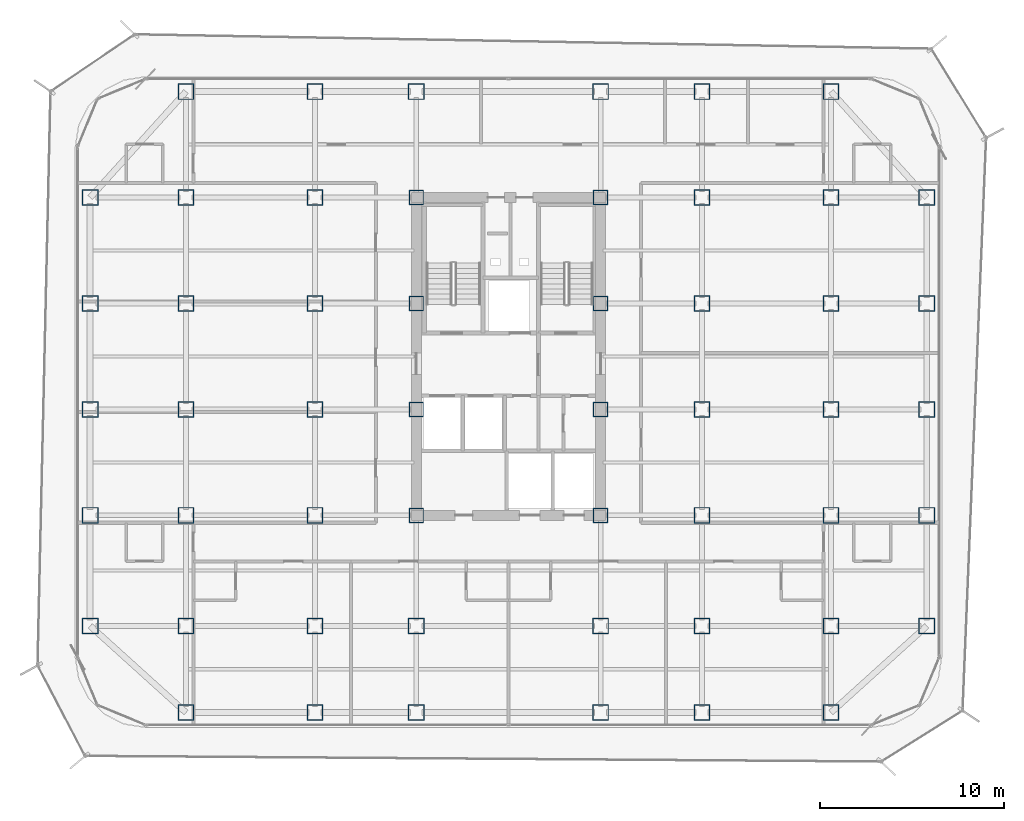
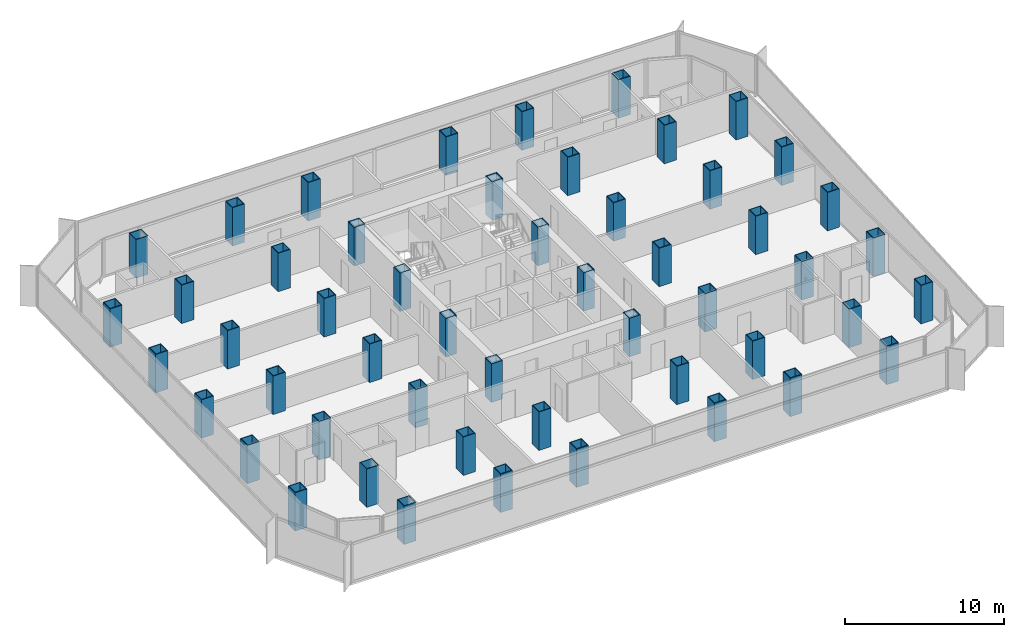
# One storey, part 1 of 21: 52 columns.
"""IFC4 building model written with IfcOpenShell, lengths in metres."""

import ifcopenshell
import ifcopenshell.guid

model = None  # the IFC model being written
_history = None  # IfcOwnerHistory: only IFC2X3 demands one
_inside = {}  # id of a spatial element -> (the spatial element, [elements in it])
_under = {}  # id of a project, library or spatial element -> (it, [spatial elements below it])
_declared = {}  # id of a project -> (the project, [libraries it declares])
_typed = {}  # id of a type object -> (the type object, [elements of that type])
_made_of = {}  # id of a material, layer set ... -> (it, [elements and type objects made of it])


def new_model(schema):
    """Start an empty IFC model of exactly this schema.

    Asked for "IFC4X3", IfcOpenShell would pick the latest addendum, in which some entities
    have other attributes; the version numbers below select the first issue.
    IFC2X3 requires an IfcOwnerHistory on every rooted entity: one is made here for all.
    """
    global model, _history
    if schema == "IFC4X3":
        model = ifcopenshell.file(schema_version=(4, 3, 0, 0))
    else:
        model = ifcopenshell.file(schema=schema)
    _inside.clear()
    _under.clear()
    _declared.clear()
    _typed.clear()
    _made_of.clear()
    _history = None
    if model.schema == "IFC2X3":
        org = make("IfcOrganization", Name="unknown")
        user = make(
            "IfcPersonAndOrganization",
            ThePerson=make("IfcPerson", FamilyName="unknown"),
            TheOrganization=org,
        )
        app = make(
            "IfcApplication",
            ApplicationDeveloper=org,
            Version="unknown",
            ApplicationFullName="unknown",
            ApplicationIdentifier="unknown",
        )
        _history = make(
            "IfcOwnerHistory",
            OwningUser=user,
            OwningApplication=app,
            ChangeAction="ADDED",
            CreationDate=0,
        )
    return model


def make(cls, **values):
    """One entity of the class cls with the attributes given. An attribute that is None is left unset."""
    return model.create_entity(
        cls, **{name: value for name, value in values.items() if value is not None}
    )


def rooted(cls, **values):
    """An entity with a GlobalId (a new one), such as an element, a storey or a relation."""
    return make(cls, GlobalId=ifcopenshell.guid.new(), OwnerHistory=_history, **values)


def si_unit(unit_type, name, prefix=None):
    """IfcSIUnit, for example si_unit("LENGTHUNIT", "METRE", prefix="MILLI")."""
    return make("IfcSIUnit", UnitType=unit_type, Prefix=prefix, Name=name)


def assignment(units):
    """IfcUnitAssignment: the units of a project."""
    return None if units is None else make("IfcUnitAssignment", Units=units)


def point(xyz):
    """IfcCartesianPoint."""
    return None if xyz is None else make("IfcCartesianPoint", Coordinates=xyz)


def direction(xyz):
    """IfcDirection."""
    return None if xyz is None else make("IfcDirection", DirectionRatios=xyz)


def frame(location, z_axis=None, x_axis=None):
    """IfcAxis2Placement3D, a coordinate frame: its origin and axes. An axis left out is left unset."""
    return make(
        "IfcAxis2Placement3D",
        Location=point(location),
        Axis=direction(z_axis),
        RefDirection=direction(x_axis),
    )


def frame_2d(location, x_axis=None):
    """IfcAxis2Placement2D, a coordinate frame in the plane: its origin and x axis."""
    return make(
        "IfcAxis2Placement2D", Location=point(location), RefDirection=direction(x_axis)
    )


def origin():
    """The frame at (0, 0, 0) with its axes left unset."""
    return frame((0.0, 0.0, 0.0))


def origin_2d():
    """The frame at (0, 0) in the plane with its x axis left unset."""
    return frame_2d((0.0, 0.0))


def place(relative_to, where):
    """IfcLocalPlacement: puts the frame where relative to a parent placement (None: the world)."""
    return make(
        "IfcLocalPlacement", PlacementRelTo=relative_to, RelativePlacement=where
    )


def context(
    kind, dimensions, precision=None, world=None, true_north=None, identifier=None
):
    """IfcGeometricRepresentationContext, for example the 3D "Model" context."""
    return make(
        "IfcGeometricRepresentationContext",
        ContextIdentifier=identifier,
        ContextType=kind,
        CoordinateSpaceDimension=dimensions,
        Precision=precision,
        WorldCoordinateSystem=world,
        TrueNorth=true_north,
    )


def subcontext(parent, identifier, kind, view, scale=None):
    """IfcGeometricRepresentationSubContext, for example "Body" below "Model"."""
    return make(
        "IfcGeometricRepresentationSubContext",
        ContextIdentifier=identifier,
        ContextType=kind,
        ParentContext=parent,
        TargetScale=scale,
        TargetView=view,
    )


def project(units=None, contexts=None):
    """IfcProject with its units and contexts."""
    return rooted(
        "IfcProject",
        Name="project",
        RepresentationContexts=contexts,
        UnitsInContext=assignment(units),
    )


def spatial(cls, under=None, at=None, **own):
    """A site, building, storey or space (cls), placed at a placement, below another one or the project."""
    s = rooted(cls, ObjectPlacement=at, **own)
    if under is not None:
        _under.setdefault(under.id(), (under, []))[1].append(s)
    return s


def profile(cls, at=None, kind="AREA", **sizes):
    """A parametric profile (cls). Its sizes go by their IFC names, for example OverallWidth=200.0."""
    return make(cls, ProfileType=kind, Position=at, **sizes)


def hollow_rectangle(**sizes):
    """IfcRectangleHollowProfileDef."""
    return profile("IfcRectangleHollowProfileDef", **sizes)


def extrude(swept, where, along, depth):
    """IfcExtrudedAreaSolid: the profile swept, set in the frame where, extruded along a direction by depth."""
    return make(
        "IfcExtrudedAreaSolid",
        SweptArea=swept,
        Position=where,
        ExtrudedDirection=direction(along),
        Depth=depth,
    )


def shape(context_of_items, identifier, shape_type, items):
    """IfcShapeRepresentation: the items that make up one representation, for example the "Body"."""
    return make(
        "IfcShapeRepresentation",
        ContextOfItems=context_of_items,
        RepresentationIdentifier=identifier,
        RepresentationType=shape_type,
        Items=items,
    )


def source(mapping_origin, context_of_items, identifier, shape_type, items):
    """IfcRepresentationMap: a shape defined once, which mapped items show again and again."""
    return make(
        "IfcRepresentationMap",
        MappingOrigin=mapping_origin,
        MappedRepresentation=shape(context_of_items, identifier, shape_type, items),
    )


def transform(
    local_origin,
    x_axis=None,
    y_axis=None,
    z_axis=None,
    scale=None,
    scale2=None,
    scale3=None,
    uniform=True,
):
    """IfcCartesianTransformationOperator3D, or its non-uniform kind. x_axis, y_axis, z_axis: its Axis1, 2, 3."""
    if uniform:
        return make(
            "IfcCartesianTransformationOperator3D",
            Axis1=direction(x_axis),
            Axis2=direction(y_axis),
            LocalOrigin=point(local_origin),
            Scale=scale,
            Axis3=direction(z_axis),
        )
    return make(
        "IfcCartesianTransformationOperator3DnonUniform",
        Axis1=direction(x_axis),
        Axis2=direction(y_axis),
        LocalOrigin=point(local_origin),
        Scale=scale,
        Axis3=direction(z_axis),
        Scale2=scale2,
        Scale3=scale3,
    )


def mapped(mapping_source, mapping_target):
    """IfcMappedItem: shows the shape of a source again, moved by a transform."""
    return make(
        "IfcMappedItem", MappingSource=mapping_source, MappingTarget=mapping_target
    )


def material(Name=None, Category=None):
    """IfcMaterial."""
    return make("IfcMaterial", Name=Name, Category=Category)


def material_profile(
    of_material, cross_section, Name=None, Category=None, Priority=None
):
    """IfcMaterialProfile: a cross section and its material."""
    return make(
        "IfcMaterialProfile",
        Name=Name,
        Material=of_material,
        Profile=cross_section,
        Priority=Priority,
        Category=Category,
    )


def profile_set(profiles, Name=None, composite=None):
    """IfcMaterialProfileSet."""
    return make(
        "IfcMaterialProfileSet",
        Name=Name,
        MaterialProfiles=profiles,
        CompositeProfile=composite,
    )


def made_of(thing, what):
    """Note that an element or type object is made of a material, layer set ...; save() writes the relation."""
    if what is not None:
        _made_of.setdefault(what.id(), (what, []))[1].append(thing)
    return thing


def type_object(cls, material=None, **own):
    """A type object (cls), such as IfcWallType, which elements share."""
    return made_of(rooted(cls, **own), material)


def element(
    cls,
    number,
    at=None,
    inside=None,
    cuts=None,
    type_object=None,
    material=None,
    context=None,
    identifier="Body",
    shape_type=None,
    held_by="IfcProductDefinitionShape",
    body=None,
    shapes=None,
    **own,
):
    """One element of the class cls, such as IfcWall. Its Tag is "e" and its number.

    at: its placement. inside: the storey or other place that contains it. cuts: it is an
    opening in that element (IfcRelVoidsElement). A single representation is given by context,
    identifier, shape_type and body (its items); several are given by shapes. held_by: the class
    of the entity that holds the representations. save() writes the other relations.
    """
    e = rooted(cls, Tag="e%d" % number, ObjectPlacement=at, **own)
    if body is not None:
        shapes = [shape(context, identifier, shape_type, body)]
    if shapes is not None:
        e.Representation = make(held_by, Representations=shapes)
    if inside is not None:
        _inside.setdefault(inside.id(), (inside, []))[1].append(e)
    if cuts is not None:
        rooted(
            "IfcRelVoidsElement", RelatingBuildingElement=cuts, RelatedOpeningElement=e
        )
    if type_object is not None:
        _typed.setdefault(type_object.id(), (type_object, []))[1].append(e)
    return made_of(e, material)


def aggregate(whole, parts):
    """IfcRelAggregates: a whole, such as a stair, and the parts it consists of."""
    return rooted("IfcRelAggregates", RelatingObject=whole, RelatedObjects=parts)


def save(model, path):
    """Write the relations noted so far, then the file.

    IfcRelAggregates (storeys below a building ...), IfcRelContainedInSpatialStructure (elements
    in a storey), IfcRelDefinesByType, IfcRelAssociatesMaterial and IfcRelDeclares: one each for
    every whole, place, type object, material and project.
    """
    for whole, parts in _under.values():
        aggregate(whole, parts)
    for where, things in _inside.values():
        rooted(
            "IfcRelContainedInSpatialStructure",
            RelatedElements=things,
            RelatingStructure=where,
        )
    for kind, things in _typed.values():
        rooted("IfcRelDefinesByType", RelatedObjects=things, RelatingType=kind)
    for what, things in _made_of.values():
        rooted("IfcRelAssociatesMaterial", RelatedObjects=things, RelatingMaterial=what)
    for by, libraries in _declared.values():
        rooted("IfcRelDeclares", RelatingContext=by, RelatedDefinitions=libraries)
    model.write(path)


model = new_model("IFC4")

# Units and contexts
model_context = context("Model", 3, precision=1e-05, world=origin(), true_north=direction((0.0, 1.0)))
body_context = subcontext(model_context, "Body", "Model", "MODEL_VIEW")
ifc_project = project(units=[si_unit("LENGTHUNIT", "METRE"), si_unit("AREAUNIT", "SQUARE_METRE"), si_unit("VOLUMEUNIT", "CUBIC_METRE"), si_unit("PLANEANGLEUNIT", "RADIAN"), si_unit("MASSUNIT", "GRAM", prefix="KILO")], contexts=[model_context])

# Site, building, storey
site_placement = place(None, origin())
site = spatial("IfcSite", under=ifc_project, at=site_placement, CompositionType="ELEMENT")
building_placement = place(site_placement, origin())
building = spatial("IfcBuilding", under=site, at=building_placement, Name="Kolveth Station Tower", CompositionType="ELEMENT")
storey_placement = place(building_placement, frame((0.0, 0.0, 105.5)))
storey = spatial("IfcBuildingStorey", under=building, at=storey_placement, Name="L28", CompositionType="ELEMENT", Elevation=105.5)

# Columns
ifc_material_1 = material(Name="Steel S460", Category="steel")
ifc_material_profile_1 = material_profile(ifc_material_1, hollow_rectangle(XDim=0.8798828125, YDim=0.8798828125, WallThickness=0.050048828125, at=origin_2d()), Name="BOX880x880x50")
ifc_profile_set_1 = profile_set([ifc_material_profile_1], Name="Steel S460")
column_type_1 = type_object("IfcColumnType", Name="Col_C4", PredefinedType="COLUMN", material=ifc_profile_set_1)
shared_shape_1 = source(origin(), body_context, "Body", "SweptSolid", [
    extrude(hollow_rectangle(XDim=0.8798828125, YDim=0.8798828125, WallThickness=0.050048828125, at=origin_2d()), origin(), (0.0, 0.0, 1.0), 2.949951171875),
])
for number, where, z_axis, x_axis, name in (
    (1, (6.0, 0.800048828125, 0.0), (0.0, 0.0, 1.0), (1.0, 0.0, 0.0), "L28 Tower Column S-X60"),
    (2, (6.0, 34.5, 0.0), (0.0, 0.0, 1.0), (1.0, 0.0, 0.0), "L28 Tower Column N-X60"),
    (3, (13.0, 0.800048828125, 0.0), (0.0, 0.0, 1.0), (1.0, 0.0, 0.0), "L28 Tower Column S-X130"),
    (4, (13.0, 34.5, 0.0), (0.0, 0.0, 1.0), (1.0, 0.0, 0.0), "L28 Tower Column N-X130"),
    (5, (18.5, 0.800048828125, 0.0), (0.0, 0.0, 1.0), (1.0, 0.0, 0.0), "L28 Tower Column S-X185"),
    (6, (18.5, 34.5, 0.0), (0.0, 0.0, 1.0), (1.0, 0.0, 0.0), "L28 Tower Column N-X185"),
    (7, (28.5, 0.800048828125, 0.0), (0.0, 0.0, 1.0), (1.0, 0.0, 0.0), "L28 Tower Column S-X285"),
    (8, (28.5, 34.5, 0.0), (0.0, 0.0, 1.0), (1.0, 0.0, 0.0), "L28 Tower Column N-X285"),
    (9, (34.0, 0.800048828125, 0.0), (0.0, 0.0, 1.0), (1.0, 0.0, 0.0), "L28 Tower Column S-X340"),
    (10, (34.0, 34.5, 0.0), (0.0, 0.0, 1.0), (1.0, 0.0, 0.0), "L28 Tower Column N-X340"),
    (11, (41.0, 0.800048828125, 0.0), (0.0, 0.0, 1.0), (1.0, 0.0, 0.0), "L28 Tower Column S-X410"),
    (12, (41.0, 34.5, 0.0), (0.0, 0.0, 1.0), (1.0, 0.0, 0.0), "L28 Tower Column N-X410"),
    (13, (0.800048828125, 5.5, 0.0), (0.0, 0.0, 1.0), (1.0, 0.0, 0.0), "L28 Tower Column W-Y55"),
    (14, (46.199951171875, 5.5, 0.0), (0.0, 0.0, 1.0), (1.0, 0.0, 0.0), "L28 Tower Column E-Y55"),
    (15, (0.800048828125, 11.5, 0.0), (0.0, 0.0, 1.0), (1.0, 0.0, 0.0), "L28 Tower Column W-Y115"),
    (16, (46.199951171875, 11.5, 0.0), (0.0, 0.0, 1.0), (1.0, 0.0, 0.0), "L28 Tower Column E-Y115"),
    (17, (0.800048828125, 17.25, 0.0), (0.0, 0.0, 1.0), (1.0, 0.0, 0.0), "L28 Tower Column W-Y172"),
    (18, (46.199951171875, 17.25, 0.0), (0.0, 0.0, 1.0), (1.0, 0.0, 0.0), "L28 Tower Column E-Y172"),
    (19, (0.800048828125, 23.0, 0.0), (0.0, 0.0, 1.0), (1.0, 0.0, 0.0), "L28 Tower Column W-Y230"),
    (20, (46.199951171875, 23.0, 0.0), (0.0, 0.0, 1.0), (1.0, 0.0, 0.0), "L28 Tower Column E-Y230"),
    (21, (0.800048828125, 28.75, 0.0), (0.0, 0.0, 1.0), (1.0, 0.0, 0.0), "L28 Tower Column W-Y287"),
    (22, (46.199951171875, 28.75, 0.0), (0.0, 0.0, 1.0), (1.0, 0.0, 0.0), "L28 Tower Column E-Y287"),
    (23, (6.0, 5.5, 0.0), (0.0, 0.0, 1.0), (1.0, 0.0, 0.0), "L28 Tower Column G-60-55"),
    (24, (6.0, 11.5, 0.0), (0.0, 0.0, 1.0), (1.0, 0.0, 0.0), "L28 Tower Column G-60-115"),
    (25, (6.0, 17.25, 0.0), (0.0, 0.0, 1.0), (1.0, 0.0, 0.0), "L28 Tower Column G-60-172"),
    (26, (6.0, 23.0, 0.0), (0.0, 0.0, 1.0), (1.0, 0.0, 0.0), "L28 Tower Column G-60-230"),
    (27, (6.0, 28.75, 0.0), (0.0, 0.0, 1.0), (1.0, 0.0, 0.0), "L28 Tower Column G-60-287"),
    (28, (13.0, 5.5, 0.0), (0.0, 0.0, 1.0), (1.0, 0.0, 0.0), "L28 Tower Column G-130-55"),
    (29, (13.0, 11.5, 0.0), (0.0, 0.0, 1.0), (1.0, 0.0, 0.0), "L28 Tower Column G-130-115"),
    (30, (13.0, 17.25, 0.0), (0.0, 0.0, 1.0), (1.0, 0.0, 0.0), "L28 Tower Column G-130-172"),
    (31, (13.0, 23.0, 0.0), (0.0, 0.0, 1.0), (1.0, 0.0, 0.0), "L28 Tower Column G-130-230"),
    (32, (13.0, 28.75, 0.0), (0.0, 0.0, 1.0), (1.0, 0.0, 0.0), "L28 Tower Column G-130-287"),
    (33, (18.5, 5.5, 0.0), (0.0, 0.0, 1.0), (1.0, 0.0, 0.0), "L28 Tower Column G-185-55"),
    (34, (28.5, 5.5, 0.0), (0.0, 0.0, 1.0), (1.0, 0.0, 0.0), "L28 Tower Column G-285-55"),
    (35, (34.0, 5.5, 0.0), (0.0, 0.0, 1.0), (1.0, 0.0, 0.0), "L28 Tower Column G-340-55"),
    (36, (34.0, 11.5, 0.0), (0.0, 0.0, 1.0), (1.0, 0.0, 0.0), "L28 Tower Column G-340-115"),
    (37, (34.0, 17.25, 0.0), (0.0, 0.0, 1.0), (1.0, 0.0, 0.0), "L28 Tower Column G-340-172"),
    (38, (34.0, 23.0, 0.0), (0.0, 0.0, 1.0), (1.0, 0.0, 0.0), "L28 Tower Column G-340-230"),
    (39, (34.0, 28.75, 0.0), (0.0, 0.0, 1.0), (1.0, 0.0, 0.0), "L28 Tower Column G-340-287"),
    (40, (41.0, 5.5, 0.0), (0.0, 0.0, 1.0), (1.0, 0.0, 0.0), "L28 Tower Column G-410-55"),
    (41, (41.0, 11.5, 0.0), (0.0, 0.0, 1.0), (1.0, 0.0, 0.0), "L28 Tower Column G-410-115"),
    (42, (41.0, 17.25, 0.0), (0.0, 0.0, 1.0), (1.0, 0.0, 0.0), "L28 Tower Column G-410-172"),
    (43, (41.0, 23.0, 0.0), (0.0, 0.0, 1.0), (1.0, 0.0, 0.0), "L28 Tower Column G-410-230"),
    (44, (41.0, 28.75, 0.0), (0.0, 0.0, 1.0), (1.0, 0.0, 0.0), "L28 Tower Column G-410-287"),
):
    element("IfcColumn", number, at=place(storey_placement, frame(where, z_axis=z_axis, x_axis=x_axis)), inside=storey, type_object=column_type_1, Name=name, PredefinedType="COLUMN", context=body_context, shape_type="MappedRepresentation", body=[
        mapped(shared_shape_1, transform((0.0, 0.0, 0.0), x_axis=(1.0, 0.0, 0.0), y_axis=(0.0, 1.0, 0.0), z_axis=(0.0, 0.0, 1.0), scale=1.0)),
    ])
ifc_material_2 = material(Name="Steel S355", Category="steel")
ifc_material_profile_2 = material_profile(ifc_material_2, hollow_rectangle(XDim=0.800048828125, YDim=0.800048828125, WallThickness=0.044921875, at=origin_2d()), Name="BOX800x800x45")
ifc_profile_set_2 = profile_set([ifc_material_profile_2], Name="Steel S355")
column_type_2 = type_object("IfcColumnType", Name="Col_C5", PredefinedType="COLUMN", material=ifc_profile_set_2)
shared_shape_2 = source(origin(), body_context, "Body", "SweptSolid", [
    extrude(hollow_rectangle(XDim=0.800048828125, YDim=0.800048828125, WallThickness=0.044921875, at=origin_2d()), origin(), (0.0, 0.0, 1.0), 2.949951171875),
])
for number, where, z_axis, x_axis, name in (
    (45, (18.5, 11.5, 0.0), (0.0, 0.0, 1.0), (1.0, 0.0, 0.0), "L28 Tower Column G-185-115"),
    (46, (18.5, 17.25, 0.0), (0.0, 0.0, 1.0), (1.0, 0.0, 0.0), "L28 Tower Column G-185-172"),
    (47, (18.5, 23.0, 0.0), (0.0, 0.0, 1.0), (1.0, 0.0, 0.0), "L28 Tower Column G-185-230"),
    (48, (18.5, 28.75, 0.0), (0.0, 0.0, 1.0), (1.0, 0.0, 0.0), "L28 Tower Column G-185-287"),
    (49, (28.5, 11.5, 0.0), (0.0, 0.0, 1.0), (1.0, 0.0, 0.0), "L28 Tower Column G-285-115"),
    (50, (28.5, 17.25, 0.0), (0.0, 0.0, 1.0), (1.0, 0.0, 0.0), "L28 Tower Column G-285-172"),
    (51, (28.5, 23.0, 0.0), (0.0, 0.0, 1.0), (1.0, 0.0, 0.0), "L28 Tower Column G-285-230"),
    (52, (28.5, 28.75, 0.0), (0.0, 0.0, 1.0), (1.0, 0.0, 0.0), "L28 Tower Column G-285-287"),
):
    element("IfcColumn", number, at=place(storey_placement, frame(where, z_axis=z_axis, x_axis=x_axis)), inside=storey, type_object=column_type_2, Name=name, PredefinedType="COLUMN", context=body_context, shape_type="MappedRepresentation", body=[
        mapped(shared_shape_2, transform((0.0, 0.0, 0.0), x_axis=(1.0, 0.0, 0.0), y_axis=(0.0, 1.0, 0.0), z_axis=(0.0, 0.0, 1.0), scale=1.0)),
    ])

save(model, "model.ifc")
